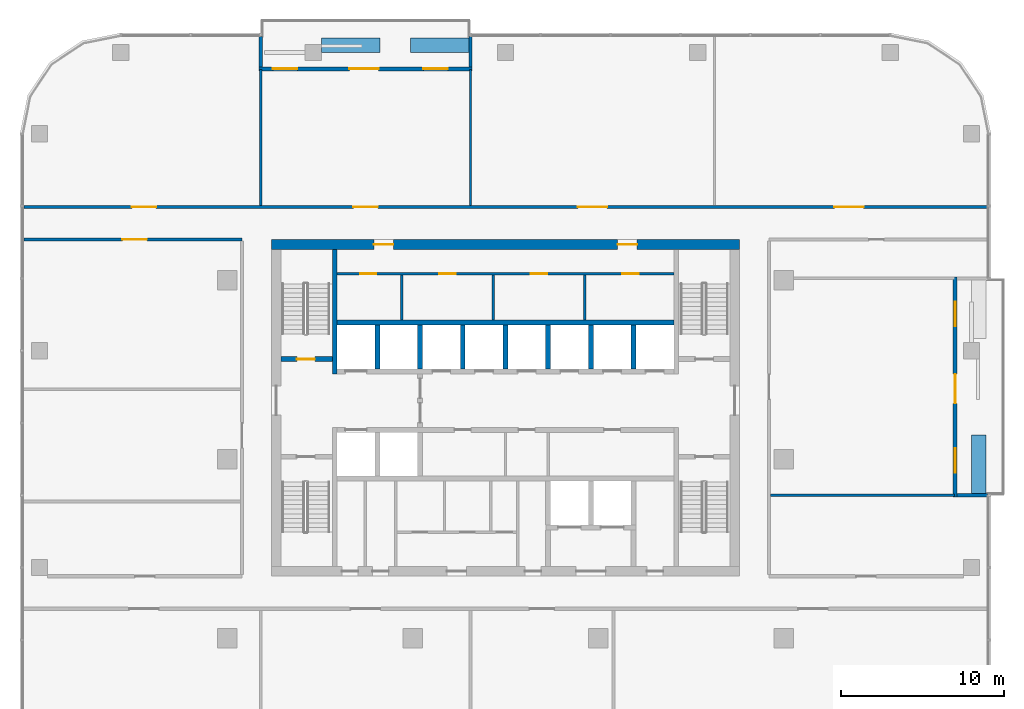
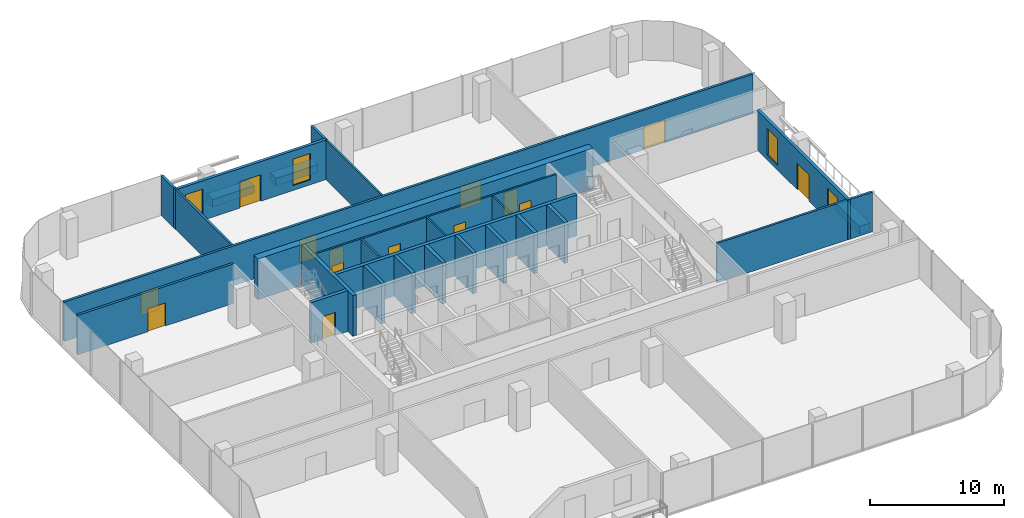
# One storey, part 9 of 13: 28 walls, 14 doors, 4 windows, 18 openings.
"""IFC4 building model written with IfcOpenShell, lengths in metres."""

from ifc_helpers import new_model, si_unit, direction, frame, frame_2d, origin, place, context, subcontext, project, spatial, rectangle, extrude, material, layer, layer_set, type_object, element, fill, save


model = new_model("IFC4")

# Units and contexts
model_context = context("Model", 3, precision=1e-05, world=origin(), true_north=direction((0.0, 1.0)))
body_context = subcontext(model_context, "Body", "Model", "MODEL_VIEW")
ifc_project = project(units=[si_unit("LENGTHUNIT", "METRE"), si_unit("AREAUNIT", "SQUARE_METRE"), si_unit("VOLUMEUNIT", "CUBIC_METRE"), si_unit("PLANEANGLEUNIT", "RADIAN"), si_unit("MASSUNIT", "GRAM", prefix="KILO")], contexts=[model_context])

# Site, building, storey
site_placement = place(None, origin())
site = spatial("IfcSite", under=ifc_project, at=site_placement, CompositionType="ELEMENT")
building_placement = place(site_placement, origin())
building = spatial("IfcBuilding", under=site, at=building_placement, Name="Mopane Tessera Tower", CompositionType="ELEMENT")
storey_placement = place(building_placement, frame((0.0, 0.0, 307.39990234375)))
storey = spatial("IfcBuildingStorey", under=building, at=storey_placement, Name="L67", CompositionType="ELEMENT", Elevation=307.39990234375)

# Walls
ifc_material_1 = material(Name="Fire-rated gypsum board partition")
ifc_layer_1 = layer(ifc_material_1, 0.14990234375)
ifc_layer_set_1 = layer_set([ifc_layer_1], Name="Fire-rated gypsum board partition")
wall_type_1 = type_object("IfcWallType", Name="Core room partition 150 mm", PredefinedType="PARTITIONING", material=ifc_layer_set_1)
for number, where, z_axis, x_axis, name in (
    (1, (-6.375, 8.550048828125, 0.0), (0.0, 0.0, 1.0), (0.0, 1.0, 0.0), "L67 Room partition"),
    (2, (-0.75, 8.550048828125, 0.0), (0.0, 0.0, 1.0), (0.0, 1.0, 0.0), "L67 Room partition"),
    (3, (4.875, 8.550048828125, 0.0), (0.0, 0.0, 1.0), (0.0, 1.0, 0.0), "L67 Room partition"),
):
    element("IfcWall", number, at=place(storey_placement, frame(where, z_axis=z_axis, x_axis=x_axis)), inside=storey, type_object=wall_type_1, Name=name, PredefinedType="PARTITIONING", context=body_context, shape_type="SweptSolid", body=[
        extrude(rectangle(XDim=2.77490234375, YDim=0.14990234375, at=frame_2d((1.387451171875, 0.0))), origin(), (0.0, 0.0, 1.0), 3.7001953125),
    ])

# Wall, openings, doors
wall_1_placement = place(storey_placement, frame((-10.35009765625, 11.39990234375, 0.0), z_axis=(0.0, 0.0, 1.0), x_axis=(1.0, 0.0, 0.0)))
wall_1 = element("IfcWall", 4, at=wall_1_placement, inside=storey, type_object=wall_type_1, Name="L67 Corridor wall", PredefinedType="PARTITIONING", context=body_context, shape_type="SweptSolid", body=[
    extrude(rectangle(XDim=20.7001953125, YDim=0.14990234375, at=frame_2d((10.35009765625, 0.0))), origin(), (0.0, 0.0, 1.0), 3.7001953125),
])
opening_1_placement = place(wall_1_placement, frame((1.41259765625, 0.0, 0.0)))
opening_1 = element("IfcOpeningElement", 5, at=opening_1_placement, cuts=wall_1, Name="Opening RD1", PredefinedType="OPENING", context=body_context, shape_type="SweptSolid", body=[
    extrude(rectangle(XDim=1.0, YDim=2.10009765625, at=frame_2d((0.5, 1.050048828125))), frame((0.0, 0.0869140625, 0.0), z_axis=(0.0, -1.0, 0.0), x_axis=(1.0, 0.0, 0.0)), (0.0, 0.0, 1.0), 0.173828125),
])
opening_2_placement = place(wall_1_placement, frame((6.28759765625, 0.0, 0.0)))
opening_2 = element("IfcOpeningElement", 6, at=opening_2_placement, cuts=wall_1, Name="Opening RD1", PredefinedType="OPENING", context=body_context, shape_type="SweptSolid", body=[
    extrude(rectangle(XDim=1.0, YDim=2.10009765625, at=frame_2d((0.5, 1.050048828125))), frame((0.0, 0.0869140625, 0.0), z_axis=(0.0, -1.0, 0.0), x_axis=(1.0, 0.0, 0.0)), (0.0, 0.0, 1.0), 0.173828125),
])
opening_3_placement = place(wall_1_placement, frame((11.91259765625, 0.0, 0.0)))
opening_3 = element("IfcOpeningElement", 7, at=opening_3_placement, cuts=wall_1, Name="Opening RD1", PredefinedType="OPENING", context=body_context, shape_type="SweptSolid", body=[
    extrude(rectangle(XDim=1.0, YDim=2.10009765625, at=frame_2d((0.5, 1.050048828125))), frame((0.0, 0.0869140625, 0.0), z_axis=(0.0, -1.0, 0.0), x_axis=(1.0, 0.0, 0.0)), (0.0, 0.0, 1.0), 0.173828125),
])
opening_4_placement = place(wall_1_placement, frame((17.53759765625, 0.0, 0.0)))
opening_4 = element("IfcOpeningElement", 8, at=opening_4_placement, cuts=wall_1, Name="Opening RD1", PredefinedType="OPENING", context=body_context, shape_type="SweptSolid", body=[
    extrude(rectangle(XDim=1.0, YDim=2.10009765625, at=frame_2d((0.5, 1.050048828125))), frame((0.0, 0.0869140625, 0.0), z_axis=(0.0, -1.0, 0.0), x_axis=(1.0, 0.0, 0.0)), (0.0, 0.0, 1.0), 0.173828125),
])
ifc_material_2 = material(Name="Timber door", Category="wood")
door_type_1 = type_object("IfcDoorType", Name="Core room door 1000 x 2100", OperationType="SINGLE_SWING_LEFT", PredefinedType="DOOR", material=ifc_material_2)
door_1_placement = place(opening_1_placement, origin())
door_1 = element("IfcDoor", 9, at=door_1_placement, inside=storey, type_object=door_type_1, Name="L67 Room door", OperationType="SINGLE_SWING_LEFT", OverallHeight=2.10009765625, OverallWidth=1.0, PredefinedType="DOOR", context=body_context, shape_type="SweptSolid", body=[
    extrude(rectangle(XDim=1.0, YDim=2.10009765625, at=frame_2d((0.5, 1.050048828125))), frame((0.0, 0.02490234375, 0.0), z_axis=(0.0, -1.0, 0.0), x_axis=(1.0, 0.0, 0.0)), (0.0, 0.0, 1.0), 0.050048828125),
])
fill(opening_1, door_1)
door_2_placement = place(opening_2_placement, origin())
door_2 = element("IfcDoor", 10, at=door_2_placement, inside=storey, type_object=door_type_1, Name="L67 Room door", OperationType="SINGLE_SWING_LEFT", OverallHeight=2.10009765625, OverallWidth=1.0, PredefinedType="DOOR", context=body_context, shape_type="SweptSolid", body=[
    extrude(rectangle(XDim=1.0, YDim=2.10009765625, at=frame_2d((0.5, 1.050048828125))), frame((0.0, 0.02490234375, 0.0), z_axis=(0.0, -1.0, 0.0), x_axis=(1.0, 0.0, 0.0)), (0.0, 0.0, 1.0), 0.050048828125),
])
fill(opening_2, door_2)
door_3_placement = place(opening_3_placement, origin())
door_3 = element("IfcDoor", 11, at=door_3_placement, inside=storey, type_object=door_type_1, Name="L67 Room door", OperationType="SINGLE_SWING_LEFT", OverallHeight=2.10009765625, OverallWidth=1.0, PredefinedType="DOOR", context=body_context, shape_type="SweptSolid", body=[
    extrude(rectangle(XDim=1.0, YDim=2.10009765625, at=frame_2d((0.5, 1.050048828125))), frame((0.0, 0.02490234375, 0.0), z_axis=(0.0, -1.0, 0.0), x_axis=(1.0, 0.0, 0.0)), (0.0, 0.0, 1.0), 0.050048828125),
])
fill(opening_3, door_3)
door_4_placement = place(opening_4_placement, origin())
door_4 = element("IfcDoor", 12, at=door_4_placement, inside=storey, type_object=door_type_1, Name="L67 Room door", OperationType="SINGLE_SWING_LEFT", OverallHeight=2.10009765625, OverallWidth=1.0, PredefinedType="DOOR", context=body_context, shape_type="SweptSolid", body=[
    extrude(rectangle(XDim=1.0, YDim=2.10009765625, at=frame_2d((0.5, 1.050048828125))), frame((0.0, 0.02490234375, 0.0), z_axis=(0.0, -1.0, 0.0), x_axis=(1.0, 0.0, 0.0)), (0.0, 0.0, 1.0), 0.050048828125),
])
fill(opening_4, door_4)

ifc_material_3 = material(Name="Concrete C70/85", Category="concrete")
ifc_layer_2 = layer(ifc_material_3, 0.60009765625)
ifc_layer_set_2 = layer_set([ifc_layer_2], Name="Concrete C70/85")
wall_type_2 = type_object("IfcWallType", Name="Core shear wall 600 mm", PredefinedType="SHEAR", material=ifc_layer_set_2)
wall_2_placement = place(storey_placement, frame((-14.39990234375, 13.199951171875, 0.0), z_axis=(0.0, 0.0, 1.0), x_axis=(1.0, 0.0, 0.0)))
wall_2 = element("IfcWall", 13, at=wall_2_placement, inside=storey, type_object=wall_type_2, Name="L67 Core wall north", PredefinedType="SHEAR", context=body_context, shape_type="SweptSolid", body=[
    extrude(rectangle(XDim=28.7998046875, YDim=0.60009765625, at=frame_2d((14.39990234375, 0.0))), origin(), (0.0, 0.0, 1.0), 3.7001953125),
])
opening_5_placement = place(wall_2_placement, frame((6.300048828125, 0.0, 0.0)))
opening_5 = element("IfcOpeningElement", 14, at=opening_5_placement, cuts=wall_2, Name="Opening RD2", PredefinedType="OPENING", context=body_context, shape_type="SweptSolid", body=[
    extrude(rectangle(XDim=1.199951171875, YDim=2.10009765625, at=frame_2d((0.60009765625, 1.050048828125))), frame((0.0, 0.31201171875, 0.0), z_axis=(0.0, -1.0, 0.0), x_axis=(1.0, 0.0, 0.0)), (0.0, 0.0, 1.0), 0.6240234375),
])
opening_6_placement = place(wall_2_placement, frame((21.300048828125, 0.0, 0.0)))
opening_6 = element("IfcOpeningElement", 15, at=opening_6_placement, cuts=wall_2, Name="Opening RD2", PredefinedType="OPENING", context=body_context, shape_type="SweptSolid", body=[
    extrude(rectangle(XDim=1.199951171875, YDim=2.10009765625, at=frame_2d((0.60009765625, 1.050048828125))), frame((0.0, 0.31201171875, 0.0), z_axis=(0.0, -1.0, 0.0), x_axis=(1.0, 0.0, 0.0)), (0.0, 0.0, 1.0), 0.6240234375),
])
ifc_material_4 = material(Name="Timber door", Category="wood")
door_type_2 = type_object("IfcDoorType", Name="Core corridor door 1200 x 2100", OperationType="SINGLE_SWING_LEFT", PredefinedType="DOOR", material=ifc_material_4)
door_5_placement = place(opening_5_placement, origin())
door_5 = element("IfcDoor", 16, at=door_5_placement, inside=storey, type_object=door_type_2, Name="L67 Corridor door", OperationType="SINGLE_SWING_LEFT", OverallHeight=2.10009765625, OverallWidth=1.199951171875, PredefinedType="DOOR", context=body_context, shape_type="SweptSolid", body=[
    extrude(rectangle(XDim=1.199951171875, YDim=2.10009765625, at=frame_2d((0.60009765625, 1.050048828125))), frame((0.0, 0.02490234375, 0.0), z_axis=(0.0, -1.0, 0.0), x_axis=(1.0, 0.0, 0.0)), (0.0, 0.0, 1.0), 0.050048828125),
])
fill(opening_5, door_5)
door_6_placement = place(opening_6_placement, origin())
door_6 = element("IfcDoor", 17, at=door_6_placement, inside=storey, type_object=door_type_2, Name="L67 Corridor door", OperationType="SINGLE_SWING_RIGHT", OverallHeight=2.10009765625, OverallWidth=1.199951171875, PredefinedType="DOOR", context=body_context, shape_type="SweptSolid", body=[
    extrude(rectangle(XDim=1.199951171875, YDim=2.10009765625, at=frame_2d((0.60009765625, 1.050048828125))), frame((0.0, 0.02490234375, 0.0), z_axis=(0.0, -1.0, 0.0), x_axis=(1.0, 0.0, 0.0)), (0.0, 0.0, 1.0), 0.050048828125),
])
fill(opening_6, door_6)

# Walls
ifc_material_5 = material(Name="Concrete C60/75", Category="concrete")
ifc_layer_3 = layer(ifc_material_5, 0.300048828125)
ifc_layer_set_3 = layer_set([ifc_layer_3], Name="Concrete C60/75")
wall_type_3 = type_object("IfcWallType", Name="Core spine wall 300 mm", PredefinedType="SHEAR", material=ifc_layer_set_3)
wall_3_placement = place(storey_placement, frame((-10.5, 5.25, 0.0), z_axis=(0.0, 0.0, 1.0), x_axis=(0.0, 1.0, 0.0)))
element("IfcWall", 18, at=wall_3_placement, inside=storey, type_object=wall_type_3, Name="L67 Core spine wall", PredefinedType="SHEAR", context=body_context, shape_type="SweptSolid", body=[
    extrude(rectangle(XDim=7.64990234375, YDim=0.300048828125, at=frame_2d((3.824951171875, 0.0))), origin(), (0.0, 0.0, 1.0), 3.7001953125),
])
ifc_material_6 = material(Name="Gypsum board on staggered steel studs, double layer each face, acoustic mineral wool infill", Category="steel")
ifc_layer_4 = layer(ifc_material_6, 0.175048828125)
ifc_layer_set_4 = layer_set([ifc_layer_4], Name="Gypsum board on staggered steel studs, double layer each face, acoustic mineral wool infill")
wall_type_4 = type_object("IfcWallType", Name="Gypsum board acoustic partition 175, rated EI 60", PredefinedType="PARTITIONING", material=ifc_layer_set_4)
wall_4_placement = place(storey_placement, frame((16.300048828125, -2.219970703125, 0.0), z_axis=(0.0, 0.0, 1.0), x_axis=(1.0, 0.0, 0.0)))
element("IfcWall", 19, at=wall_4_placement, inside=storey, type_object=wall_type_4, Name="Partition L67:004", PredefinedType="PARTITIONING", context=body_context, shape_type="SweptSolid", body=[
    extrude(rectangle(XDim=11.300048828125, YDim=0.175048828125, at=frame_2d((5.64990234375, 0.0))), origin(), (0.0, 0.0, 1.0), 3.60009765625),
])
wall_5_placement = place(storey_placement, frame((-15.050048828125, 15.60009765625, 0.0), z_axis=(0.0, 0.0, 1.0), x_axis=(0.0, 1.0, 0.0)))
element("IfcWall", 20, at=wall_5_placement, inside=storey, type_object=wall_type_4, Name="Partition L67:012", PredefinedType="PARTITIONING", context=body_context, shape_type="SweptSolid", body=[
    extrude(rectangle(XDim=8.349853515625, YDim=0.175048828125, at=frame_2d((4.1748046875, 0.0))), origin(), (0.0, 0.0, 1.0), 3.60009765625),
])

# Wall, opening, door
ifc_material_7 = material(Name="Gypsum board on steel studs, two layers each face, mineral wool infill", Category="steel")
ifc_layer_5 = layer(ifc_material_7, 0.199951171875)
ifc_layer_set_5 = layer_set([ifc_layer_5], Name="Gypsum board on steel studs, two layers each face, mineral wool infill")
wall_type_5 = type_object("IfcWallType", Name="Gypsum board corridor wall 200, rated EI 60", PredefinedType="PARTITIONING", material=ifc_layer_set_5)
wall_6_placement = place(storey_placement, frame((-29.60009765625, 13.5, 0.0), z_axis=(0.0, 0.0, 1.0), x_axis=(1.0, 0.0, 0.0)))
wall_6 = element("IfcWall", 21, at=wall_6_placement, inside=storey, type_object=wall_type_5, Name="Partition L67:007", PredefinedType="PARTITIONING", context=body_context, shape_type="SweptSolid", body=[
    extrude(rectangle(XDim=13.400146484375, YDim=0.199951171875, at=frame_2d((6.7001953125, 0.0))), origin(), (0.0, 0.0, 1.0), 3.60009765625),
])
opening_7_placement = place(wall_6_placement, frame((6.050048828125, 0.0, 0.0)))
opening_7 = element("IfcOpeningElement", 22, at=opening_7_placement, cuts=wall_6, Name="Opening L67-01", PredefinedType="OPENING", context=body_context, shape_type="SweptSolid", body=[
    extrude(rectangle(XDim=1.5, YDim=2.10009765625, at=frame_2d((0.75, 1.050048828125))), frame((0.0, 0.112060546875, 0.0), z_axis=(0.0, -1.0, 0.0), x_axis=(1.0, 0.0, 0.0)), (0.0, 0.0, 1.0), 0.223876953125),
])
ifc_material_8 = material(Name="Timber veneered steel-framed fire door", Category="steel")
door_type_3 = type_object("IfcDoorType", Name="Fire door pair FD60 1500 x 2100", OperationType="DOUBLE_DOOR_SINGLE_SWING", PredefinedType="DOOR", material=ifc_material_8)
door_7_placement = place(opening_7_placement, origin())
door_7 = element("IfcDoor", 23, at=door_7_placement, inside=storey, type_object=door_type_3, Name="Door L67-01", ObjectType="D17A", OperationType="DOUBLE_DOOR_SINGLE_SWING", OverallHeight=2.10009765625, OverallWidth=1.5, PredefinedType="DOOR", context=body_context, shape_type="SweptSolid", body=[
    extrude(rectangle(XDim=1.5, YDim=2.10009765625, at=frame_2d((0.75, 1.050048828125))), frame((0.0, 0.02490234375, 0.0), z_axis=(0.0, -1.0, 0.0), x_axis=(1.0, 0.0, 0.0)), (0.0, 0.0, 1.0), 0.050048828125),
])
fill(opening_7, door_7)

# Wall, openings, doors
wall_7_placement = place(storey_placement, frame((-29.60009765625, 15.5, 0.0), z_axis=(0.0, 0.0, 1.0), x_axis=(1.0, 0.0, 0.0)))
wall_7 = element("IfcWall", 24, at=wall_7_placement, inside=storey, type_object=wall_type_5, Name="Partition L67:009", PredefinedType="PARTITIONING", context=body_context, shape_type="SweptSolid", body=[
    extrude(rectangle(XDim=59.2001953125, YDim=0.199951171875, at=frame_2d((29.60009765625, 0.0))), origin(), (0.0, 0.0, 1.0), 3.60009765625),
])
opening_8_placement = place(wall_7_placement, frame((20.25, 0.0, 0.0)))
opening_8 = element("IfcOpeningElement", 25, at=opening_8_placement, cuts=wall_7, Name="Opening L67-04", PredefinedType="OPENING", context=body_context, shape_type="SweptSolid", body=[
    extrude(rectangle(XDim=1.5, YDim=2.10009765625, at=frame_2d((0.75, 1.050048828125))), frame((0.0, 0.112060546875, 0.0), z_axis=(0.0, -1.0, 0.0), x_axis=(1.0, 0.0, 0.0)), (0.0, 0.0, 1.0), 0.223876953125),
])
opening_9_placement = place(wall_7_placement, frame((49.824951171875, 0.0, 0.0)))
opening_9 = element("IfcOpeningElement", 26, at=opening_9_placement, cuts=wall_7, Name="Opening L67-06", PredefinedType="OPENING", context=body_context, shape_type="SweptSolid", body=[
    extrude(rectangle(XDim=1.800048828125, YDim=2.10009765625, at=frame_2d((0.89990234375, 1.050048828125))), frame((0.0, 0.112060546875, 0.0), z_axis=(0.0, -1.0, 0.0), x_axis=(1.0, 0.0, 0.0)), (0.0, 0.0, 1.0), 0.223876953125),
])
opening_10_placement = place(wall_7_placement, frame((34.050048828125, 0.0, 0.0)))
opening_10 = element("IfcOpeningElement", 27, at=opening_10_placement, cuts=wall_7, Name="Opening L67-10", PredefinedType="OPENING", context=body_context, shape_type="SweptSolid", body=[
    extrude(rectangle(XDim=1.800048828125, YDim=2.10009765625, at=frame_2d((0.89990234375, 1.050048828125))), frame((0.0, 0.112060546875, 0.0), z_axis=(0.0, -1.0, 0.0), x_axis=(1.0, 0.0, 0.0)), (0.0, 0.0, 1.0), 0.223876953125),
])
opening_11_placement = place(wall_7_placement, frame((6.625, 0.0, 0.0)))
opening_11 = element("IfcOpeningElement", 28, at=opening_11_placement, cuts=wall_7, Name="Opening L67-12", PredefinedType="OPENING", context=body_context, shape_type="SweptSolid", body=[
    extrude(rectangle(XDim=1.5, YDim=2.10009765625, at=frame_2d((0.75, 1.050048828125))), frame((0.0, 0.112060546875, 0.0), z_axis=(0.0, -1.0, 0.0), x_axis=(1.0, 0.0, 0.0)), (0.0, 0.0, 1.0), 0.223876953125),
])
door_8_placement = place(opening_8_placement, origin())
door_8 = element("IfcDoor", 29, at=door_8_placement, inside=storey, type_object=door_type_3, Name="Door L67-04", ObjectType="D17A", OperationType="DOUBLE_DOOR_SINGLE_SWING", OverallHeight=2.10009765625, OverallWidth=1.5, PredefinedType="DOOR", context=body_context, shape_type="SweptSolid", body=[
    extrude(rectangle(XDim=1.5, YDim=2.10009765625, at=frame_2d((0.75, 1.050048828125))), frame((0.0, 0.02490234375, 0.0), z_axis=(0.0, -1.0, 0.0), x_axis=(1.0, 0.0, 0.0)), (0.0, 0.0, 1.0), 0.050048828125),
])
fill(opening_8, door_8)
door_9_placement = place(opening_11_placement, origin())
door_9 = element("IfcDoor", 30, at=door_9_placement, inside=storey, type_object=door_type_3, Name="Door L67-12", ObjectType="D17A", OperationType="DOUBLE_DOOR_SINGLE_SWING", OverallHeight=2.10009765625, OverallWidth=1.5, PredefinedType="DOOR", context=body_context, shape_type="SweptSolid", body=[
    extrude(rectangle(XDim=1.5, YDim=2.10009765625, at=frame_2d((0.75, 1.050048828125))), frame((0.0, 0.02490234375, 0.0), z_axis=(0.0, -1.0, 0.0), x_axis=(1.0, 0.0, 0.0)), (0.0, 0.0, 1.0), 0.050048828125),
])
fill(opening_11, door_9)
ifc_material_9 = material(Name="Timber veneered steel-framed fire door", Category="steel")
door_type_4 = type_object("IfcDoorType", Name="Fire door pair FD60 1800 x 2100", OperationType="DOUBLE_DOOR_SINGLE_SWING", PredefinedType="DOOR", material=ifc_material_9)
door_10_placement = place(opening_9_placement, origin())
door_10 = element("IfcDoor", 31, at=door_10_placement, inside=storey, type_object=door_type_4, Name="Door L67-06", ObjectType="D20A", OperationType="DOUBLE_DOOR_SINGLE_SWING", OverallHeight=2.10009765625, OverallWidth=1.800048828125, PredefinedType="DOOR", context=body_context, shape_type="SweptSolid", body=[
    extrude(rectangle(XDim=1.800048828125, YDim=2.10009765625, at=frame_2d((0.89990234375, 1.050048828125))), frame((0.0, 0.02490234375, 0.0), z_axis=(0.0, -1.0, 0.0), x_axis=(1.0, 0.0, 0.0)), (0.0, 0.0, 1.0), 0.050048828125),
])
fill(opening_9, door_10)
door_11_placement = place(opening_10_placement, origin())
door_11 = element("IfcDoor", 32, at=door_11_placement, inside=storey, type_object=door_type_4, Name="Door L67-10", ObjectType="D20A", OperationType="DOUBLE_DOOR_SINGLE_SWING", OverallHeight=2.10009765625, OverallWidth=1.800048828125, PredefinedType="DOOR", context=body_context, shape_type="SweptSolid", body=[
    extrude(rectangle(XDim=1.800048828125, YDim=2.10009765625, at=frame_2d((0.89990234375, 1.050048828125))), frame((0.0, 0.02490234375, 0.0), z_axis=(0.0, -1.0, 0.0), x_axis=(1.0, 0.0, 0.0)), (0.0, 0.0, 1.0), 0.050048828125),
])
fill(opening_10, door_11)

# Wall
ifc_material_10 = material(Name="Gypsum board on steel studs, mineral wool infill", Category="steel")
ifc_layer_6 = layer(ifc_material_10, 0.14990234375)
ifc_layer_set_6 = layer_set([ifc_layer_6], Name="Gypsum board on steel studs, mineral wool infill")
wall_type_6 = type_object("IfcWallType", Name="Gypsum board partition 150, rated EI 60", PredefinedType="PARTITIONING", material=ifc_layer_set_6)
wall_8_placement = place(storey_placement, frame((-2.14990234375, 15.60009765625, 0.0), z_axis=(0.0, 0.0, 1.0), x_axis=(0.0, 1.0, 0.0)))
element("IfcWall", 33, at=wall_8_placement, inside=storey, type_object=wall_type_6, Name="Partition L67:013", PredefinedType="PARTITIONING", context=body_context, shape_type="SweptSolid", body=[
    extrude(rectangle(XDim=8.349853515625, YDim=0.14990234375, at=frame_2d((4.1748046875, 0.0))), origin(), (0.0, 0.0, 1.0), 3.60009765625),
])

# Wall, opening, door
ifc_material_11 = material(Name="Concrete C50/60", Category="concrete")
ifc_layer_7 = layer(ifc_material_11, 0.300048828125)
ifc_layer_set_7 = layer_set([ifc_layer_7], Name="Concrete C50/60")
wall_type_7 = type_object("IfcWallType", Name="Lift and stair shaft wall 300 mm", PredefinedType="SOLIDWALL", material=ifc_layer_set_7)
wall_9_placement = place(storey_placement, frame((-13.800048828125, 6.14990234375, 0.0), z_axis=(0.0, 0.0, 1.0), x_axis=(1.0, 0.0, 0.0)))
wall_9 = element("IfcWall", 34, at=wall_9_placement, inside=storey, type_object=wall_type_7, Name="L67 Stair enclosure wall", PredefinedType="SOLIDWALL", context=body_context, shape_type="SweptSolid", body=[
    extrude(rectangle(XDim=3.150146484375, YDim=0.300048828125, at=frame_2d((1.5751953125, 0.0))), origin(), (0.0, 0.0, 1.0), 3.7001953125),
])
opening_12_placement = place(wall_9_placement, frame((0.97509765625, 0.0, 0.0)))
opening_12 = element("IfcOpeningElement", 35, at=opening_12_placement, cuts=wall_9, Name="Opening SD1", PredefinedType="OPENING", context=body_context, shape_type="SweptSolid", body=[
    extrude(rectangle(XDim=1.10009765625, YDim=2.10009765625, at=frame_2d((0.550048828125, 1.050048828125))), frame((0.0, 0.162109375, 0.0), z_axis=(0.0, -1.0, 0.0), x_axis=(1.0, 0.0, 0.0)), (0.0, 0.0, 1.0), 0.323974609375),
])
ifc_material_12 = material(Name="Steel fire door", Category="steel")
door_type_5 = type_object("IfcDoorType", Name="Stair fire door 1100 x 2100", OperationType="SINGLE_SWING_LEFT", PredefinedType="DOOR", material=ifc_material_12)
door_12_placement = place(opening_12_placement, origin())
door_12 = element("IfcDoor", 36, at=door_12_placement, inside=storey, type_object=door_type_5, Name="L67 Stair door ST2", OperationType="SINGLE_SWING_LEFT", OverallHeight=2.10009765625, OverallWidth=1.10009765625, PredefinedType="DOOR", context=body_context, shape_type="SweptSolid", body=[
    extrude(rectangle(XDim=1.10009765625, YDim=2.10009765625, at=frame_2d((0.550048828125, 1.050048828125))), frame((0.0, 0.02490234375, 0.0), z_axis=(0.0, -1.0, 0.0), x_axis=(1.0, 0.0, 0.0)), (0.0, 0.0, 1.0), 0.050048828125),
])
fill(opening_12, door_12)

# Walls
wall_10_placement = place(storey_placement, frame((-10.35009765625, 8.39990234375, 0.0), z_axis=(0.0, 0.0, 1.0), x_axis=(1.0, 0.0, 0.0)))
element("IfcWall", 37, at=wall_10_placement, inside=storey, type_object=wall_type_7, Name="L67 Lift shaft rear wall", PredefinedType="SOLIDWALL", context=body_context, shape_type="SweptSolid", body=[
    extrude(rectangle(XDim=20.7001953125, YDim=0.300048828125, at=frame_2d((10.35009765625, 0.0))), origin(), (0.0, 0.0, 1.0), 3.7001953125),
])
for number, where, z_axis, x_axis, name in (
    (38, (-7.875, 5.550048828125, 0.0), (0.0, 0.0, 1.0), (0.0, 1.0, 0.0), "L67 Lift shaft wall"),
    (39, (-5.25, 5.550048828125, 0.0), (0.0, 0.0, 1.0), (0.0, 1.0, 0.0), "L67 Lift shaft wall"),
    (40, (-2.625, 5.550048828125, 0.0), (0.0, 0.0, 1.0), (0.0, 1.0, 0.0), "L67 Lift shaft wall"),
    (41, (0.0, 5.550048828125, 0.0), (0.0, 0.0, 1.0), (0.0, 1.0, 0.0), "L67 Lift shaft wall"),
    (42, (2.625, 5.550048828125, 0.0), (0.0, 0.0, 1.0), (0.0, 1.0, 0.0), "L67 Lift shaft wall"),
    (43, (5.25, 5.550048828125, 0.0), (0.0, 0.0, 1.0), (0.0, 1.0, 0.0), "L67 Lift shaft wall"),
    (44, (7.875, 5.550048828125, 0.0), (0.0, 0.0, 1.0), (0.0, 1.0, 0.0), "L67 Lift shaft wall"),
):
    element("IfcWall", number, at=place(storey_placement, frame(where, z_axis=z_axis, x_axis=x_axis)), inside=storey, type_object=wall_type_7, Name=name, PredefinedType="SOLIDWALL", context=body_context, shape_type="SweptSolid", body=[
        extrude(rectangle(XDim=2.699951171875, YDim=0.300048828125, at=frame_2d((1.35009765625, 0.0))), origin(), (0.0, 0.0, 1.0), 3.7001953125),
    ])
ifc_material_13 = material(Name="Reinforced concrete C32/40 with waterproofing", Category="concrete")
ifc_layer_8 = layer(ifc_material_13, 0.89990234375)
ifc_layer_set_8 = layer_set([ifc_layer_8], Name="Reinforced concrete C32/40 with waterproofing")
wall_type_8 = type_object("IfcWallType", Name="Planter trough 3600 x 900", PredefinedType="STANDARD", material=ifc_layer_set_8)
for number, where, z_axis, x_axis, name in (
    (45, (29.10009765625, -2.122314453125, 0.0), (0.0, 0.0, 1.0), (0.0, 1.0, 0.0), "e:nw:L67:N1:pl0"),
    (46, (-2.25, 25.449951171875, 0.0), (0.0, 0.0, 1.0), (-1.0, 0.0, 0.0), "e:nw:L67:N2:pl0"),
    (47, (-7.704833984375, 25.449951171875, 0.0), (0.0, 0.0, 1.0), (-1.0, 0.0, 0.0), "e:nw:L67:N2:pl1"),
):
    element("IfcWall", number, at=place(storey_placement, frame(where, z_axis=z_axis, x_axis=x_axis)), inside=storey, type_object=wall_type_8, Name=name, PredefinedType="STANDARD", context=body_context, shape_type="SweptSolid", body=[
        extrude(rectangle(XDim=3.60009765625, YDim=0.89990234375, at=frame_2d((1.800048828125, 0.0))), origin(), (0.0, 0.0, 1.0), 0.7001953125),
    ])
ifc_material_14 = material(Name="Blockwork with glazed tile facing", Category="masonry")
ifc_layer_9 = layer(ifc_material_14, 0.199951171875)
ifc_layer_set_9 = layer_set([ifc_layer_9], Name="Blockwork with glazed tile facing")
wall_type_9 = type_object("IfcWallType", Name="Terrace cheek wall 200", PredefinedType="STANDARD", material=ifc_layer_set_9)
for number, where, z_axis, x_axis, name in (
    (48, (29.64990234375, -2.22216796875, 0.0), (0.0, 0.0, 1.0), (-1.0, 0.0, 0.0), "e:nw:L67:N1:cheeka"),
    (49, (-2.14990234375, 26.0, 0.0), (0.0, 0.0, 1.0), (0.0, -1.0, 0.0), "e:nw:L67:N2:cheeka"),
    (50, (-15.050048828125, 26.0, 0.0), (0.0, 0.0, 1.0), (0.0, -1.0, 0.0), "e:nw:L67:N2:cheekb"),
):
    element("IfcWall", number, at=place(storey_placement, frame(where, z_axis=z_axis, x_axis=x_axis)), inside=storey, type_object=wall_type_9, Name=name, PredefinedType="STANDARD", context=body_context, shape_type="SweptSolid", body=[
        extrude(rectangle(XDim=1.875, YDim=0.199951171875, at=frame_2d((0.9375, 0.0))), origin(), (0.0, 0.0, 1.0), 3.60009765625),
    ])

# Wall, openings, windows, door
ifc_material_15 = material(Name="Blockwork with ultramarine glazed tile facing", Category="masonry")
ifc_layer_10 = layer(ifc_material_15, 0.25)
ifc_layer_set_10 = layer_set([ifc_layer_10], Name="Blockwork with ultramarine glazed tile facing")
wall_type_10 = type_object("IfcWallType", Name="Tile-clad external wall 250, ultramarine", PredefinedType="STANDARD", material=ifc_layer_set_10)
wall_11_placement = place(storey_placement, frame((27.64990234375, -2.322265625, 0.0), z_axis=(0.0, 0.0, 1.0), x_axis=(0.0, 1.0, 0.0)))
wall_11 = element("IfcWall", 51, at=wall_11_placement, inside=storey, type_object=wall_type_10, Name="e:nw:L67:N1:back", PredefinedType="STANDARD", context=body_context, shape_type="SweptSolid", body=[
    extrude(rectangle(XDim=13.533447265625, YDim=0.25, at=frame_2d((6.7666015625, 0.0))), origin(), (0.0, 0.0, 1.0), 3.60009765625),
])
opening_13_placement = place(wall_11_placement, frame((1.5, 0.0, 0.449951171875)))
opening_13 = element("IfcOpeningElement", 52, at=opening_13_placement, cuts=wall_11, Name="Opening NW671A", PredefinedType="OPENING", context=body_context, shape_type="SweptSolid", body=[
    extrude(rectangle(XDim=1.5, YDim=2.39990234375, at=frame_2d((0.75, 1.199951171875))), frame((0.0, 0.136962890625, 0.0), z_axis=(0.0, -1.0, 0.0), x_axis=(1.0, 0.0, 0.0)), (0.0, 0.0, 1.0), 0.27392578125),
])
opening_14_placement = place(wall_11_placement, frame((5.75, 0.0, 0.0)))
opening_14 = element("IfcOpeningElement", 53, at=opening_14_placement, cuts=wall_11, Name="Opening ND671", PredefinedType="OPENING", context=body_context, shape_type="SweptSolid", body=[
    extrude(rectangle(XDim=1.800048828125, YDim=2.39990234375, at=frame_2d((0.89990234375, 1.199951171875))), frame((0.0, 0.136962890625, 0.0), z_axis=(0.0, -1.0, 0.0), x_axis=(1.0, 0.0, 0.0)), (0.0, 0.0, 1.0), 0.27392578125),
])
opening_15_placement = place(wall_11_placement, frame((10.5, 0.0, 0.449951171875)))
opening_15 = element("IfcOpeningElement", 54, at=opening_15_placement, cuts=wall_11, Name="Opening NW671B", PredefinedType="OPENING", context=body_context, shape_type="SweptSolid", body=[
    extrude(rectangle(XDim=1.5, YDim=2.39990234375, at=frame_2d((0.75, 1.199951171875))), frame((0.0, 0.136962890625, 0.0), z_axis=(0.0, -1.0, 0.0), x_axis=(1.0, 0.0, 0.0)), (0.0, 0.0, 1.0), 0.27392578125),
])
ifc_material_16 = material(Name="Clear laminated glass", Category="glass")
window_type = type_object("IfcWindowType", Name="Fixed window 1500 x 2400", PartitioningType="SINGLE_PANEL", PredefinedType="WINDOW", material=ifc_material_16)
window_1_placement = place(opening_13_placement, origin())
window_1 = element("IfcWindow", 55, at=window_1_placement, inside=storey, type_object=window_type, Name="e:nw:L67:N1:win0", OverallHeight=2.39990234375, OverallWidth=1.5, PartitioningType="SINGLE_PANEL", PredefinedType="WINDOW", context=body_context, shape_type="SweptSolid", body=[
    extrude(rectangle(XDim=1.5, YDim=2.39990234375, at=frame_2d((0.75, 1.199951171875))), frame((0.0, 0.030029296875, 0.0), z_axis=(0.0, -1.0, 0.0), x_axis=(1.0, 0.0, 0.0)), (0.0, 0.0, 1.0), 0.06005859375),
])
fill(opening_13, window_1)
window_2_placement = place(opening_15_placement, origin())
window_2 = element("IfcWindow", 56, at=window_2_placement, inside=storey, type_object=window_type, Name="e:nw:L67:N1:win2", OverallHeight=2.39990234375, OverallWidth=1.5, PartitioningType="SINGLE_PANEL", PredefinedType="WINDOW", context=body_context, shape_type="SweptSolid", body=[
    extrude(rectangle(XDim=1.5, YDim=2.39990234375, at=frame_2d((0.75, 1.199951171875))), frame((0.0, 0.030029296875, 0.0), z_axis=(0.0, -1.0, 0.0), x_axis=(1.0, 0.0, 0.0)), (0.0, 0.0, 1.0), 0.06005859375),
])
fill(opening_15, window_2)
ifc_material_17 = material(Name="Aluminium and clear glass", Category="aluminium")
door_type_6 = type_object("IfcDoorType", Name="Terrace double door 1800 x 2400", OperationType="DOUBLE_DOOR_SINGLE_SWING", PredefinedType="DOOR", material=ifc_material_17)
door_13_placement = place(opening_14_placement, origin())
door_13 = element("IfcDoor", 57, at=door_13_placement, inside=storey, type_object=door_type_6, Name="e:nw:L67:N1:door", ObjectType="D1", OperationType="DOUBLE_DOOR_SINGLE_SWING", OverallHeight=2.39990234375, OverallWidth=1.800048828125, PredefinedType="DOOR", context=body_context, shape_type="SweptSolid", body=[
    extrude(rectangle(XDim=1.800048828125, YDim=2.39990234375, at=frame_2d((0.89990234375, 1.199951171875))), frame((0.0, 0.02490234375, 0.0), z_axis=(0.0, -1.0, 0.0), x_axis=(1.0, 0.0, 0.0)), (0.0, 0.0, 1.0), 0.050048828125),
])
fill(opening_14, door_13)

wall_12_placement = place(storey_placement, frame((-2.050048828125, 24.0, 0.0), z_axis=(0.0, 0.0, 1.0), x_axis=(-1.0, 0.0, 0.0)))
wall_12 = element("IfcWall", 58, at=wall_12_placement, inside=storey, type_object=wall_type_10, Name="e:nw:L67:N2:back", PredefinedType="STANDARD", context=body_context, shape_type="SweptSolid", body=[
    extrude(rectangle(XDim=13.099853515625, YDim=0.25, at=frame_2d((6.5498046875, 0.0))), origin(), (0.0, 0.0, 1.0), 3.60009765625),
])
opening_16_placement = place(wall_12_placement, frame((1.5, 0.0, 0.449951171875)))
opening_16 = element("IfcOpeningElement", 59, at=opening_16_placement, cuts=wall_12, Name="Opening NW672A", PredefinedType="OPENING", context=body_context, shape_type="SweptSolid", body=[
    extrude(rectangle(XDim=1.5, YDim=2.39990234375, at=frame_2d((0.75, 1.199951171875))), frame((0.0, 0.136962890625, 0.0), z_axis=(0.0, -1.0, 0.0), x_axis=(1.0, 0.0, 0.0)), (0.0, 0.0, 1.0), 0.27392578125),
])
opening_17_placement = place(wall_12_placement, frame((5.75, 0.0, 0.0)))
opening_17 = element("IfcOpeningElement", 60, at=opening_17_placement, cuts=wall_12, Name="Opening ND672", PredefinedType="OPENING", context=body_context, shape_type="SweptSolid", body=[
    extrude(rectangle(XDim=1.800048828125, YDim=2.39990234375, at=frame_2d((0.89990234375, 1.199951171875))), frame((0.0, 0.136962890625, 0.0), z_axis=(0.0, -1.0, 0.0), x_axis=(1.0, 0.0, 0.0)), (0.0, 0.0, 1.0), 0.27392578125),
])
opening_18_placement = place(wall_12_placement, frame((10.75, 0.0, 0.449951171875)))
opening_18 = element("IfcOpeningElement", 61, at=opening_18_placement, cuts=wall_12, Name="Opening NW672B", PredefinedType="OPENING", context=body_context, shape_type="SweptSolid", body=[
    extrude(rectangle(XDim=1.5, YDim=2.39990234375, at=frame_2d((0.75, 1.199951171875))), frame((0.0, 0.136962890625, 0.0), z_axis=(0.0, -1.0, 0.0), x_axis=(1.0, 0.0, 0.0)), (0.0, 0.0, 1.0), 0.27392578125),
])
window_3_placement = place(opening_16_placement, origin())
window_3 = element("IfcWindow", 62, at=window_3_placement, inside=storey, type_object=window_type, Name="e:nw:L67:N2:win0", OverallHeight=2.39990234375, OverallWidth=1.5, PartitioningType="SINGLE_PANEL", PredefinedType="WINDOW", context=body_context, shape_type="SweptSolid", body=[
    extrude(rectangle(XDim=1.5, YDim=2.39990234375, at=frame_2d((0.75, 1.199951171875))), frame((0.0, 0.030029296875, 0.0), z_axis=(0.0, -1.0, 0.0), x_axis=(1.0, 0.0, 0.0)), (0.0, 0.0, 1.0), 0.06005859375),
])
fill(opening_16, window_3)
window_4_placement = place(opening_18_placement, origin())
window_4 = element("IfcWindow", 63, at=window_4_placement, inside=storey, type_object=window_type, Name="e:nw:L67:N2:win2", OverallHeight=2.39990234375, OverallWidth=1.5, PartitioningType="SINGLE_PANEL", PredefinedType="WINDOW", context=body_context, shape_type="SweptSolid", body=[
    extrude(rectangle(XDim=1.5, YDim=2.39990234375, at=frame_2d((0.75, 1.199951171875))), frame((0.0, 0.030029296875, 0.0), z_axis=(0.0, -1.0, 0.0), x_axis=(1.0, 0.0, 0.0)), (0.0, 0.0, 1.0), 0.06005859375),
])
fill(opening_18, window_4)
door_14_placement = place(opening_17_placement, origin())
door_14 = element("IfcDoor", 64, at=door_14_placement, inside=storey, type_object=door_type_6, Name="e:nw:L67:N2:door", ObjectType="D1", OperationType="DOUBLE_DOOR_SINGLE_SWING", OverallHeight=2.39990234375, OverallWidth=1.800048828125, PredefinedType="DOOR", context=body_context, shape_type="SweptSolid", body=[
    extrude(rectangle(XDim=1.800048828125, YDim=2.39990234375, at=frame_2d((0.89990234375, 1.199951171875))), frame((0.0, 0.02490234375, 0.0), z_axis=(0.0, -1.0, 0.0), x_axis=(1.0, 0.0, 0.0)), (0.0, 0.0, 1.0), 0.050048828125),
])
fill(opening_17, door_14)

save(model, "model.ifc")
